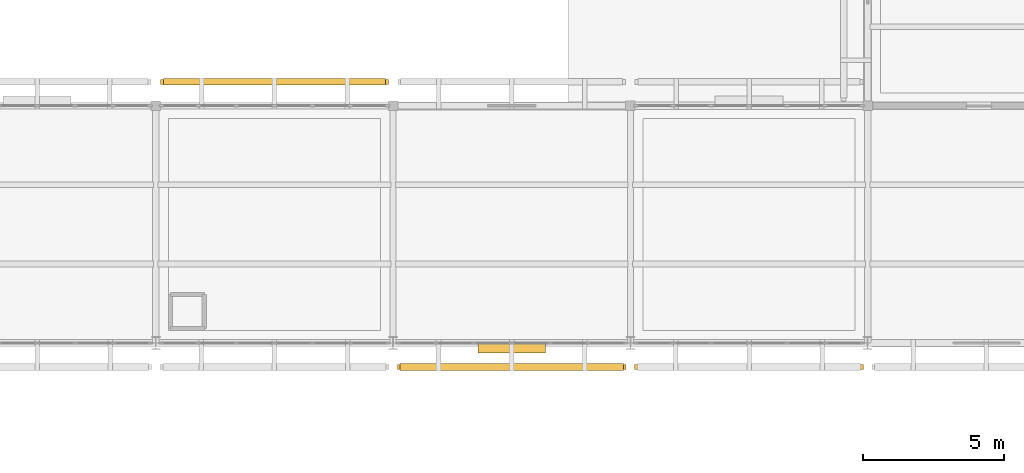
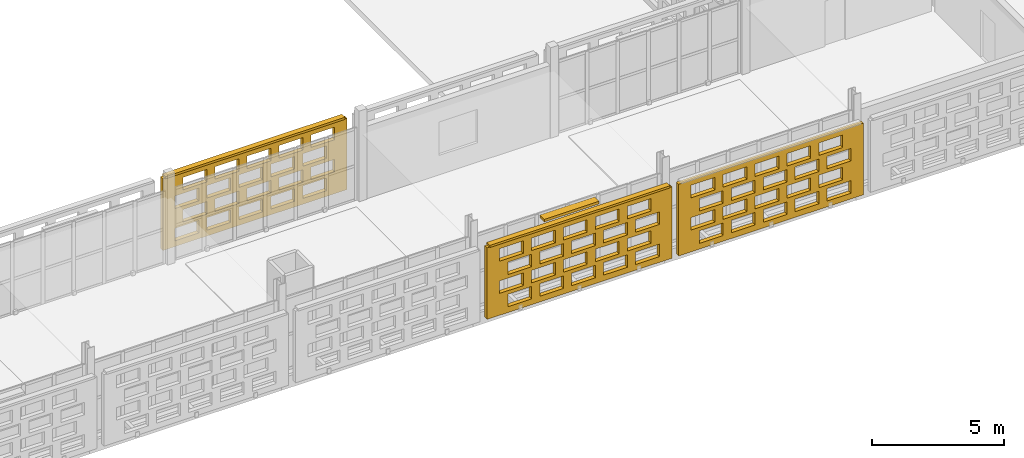
# One storey, part 123 of 140: 3 coverings, 3 shading devices, 60 openings.
"""IFC4 building model written with IfcOpenShell, lengths in metres."""

from ifc_helpers import new_model, si_unit, direction, frame, frame_2d, origin, origin_2d, place, context, subcontext, project, spatial, rectangle, extrude, material, layer, layer_set, type_object, element, save


model = new_model("IFC4")

# Units and contexts
model_context = context("Model", 3, precision=1e-05, world=origin(), true_north=direction((0.0, 1.0)))
body_context = subcontext(model_context, "Body", "Model", "MODEL_VIEW")
ifc_project = project(units=[si_unit("LENGTHUNIT", "METRE"), si_unit("AREAUNIT", "SQUARE_METRE"), si_unit("VOLUMEUNIT", "CUBIC_METRE"), si_unit("PLANEANGLEUNIT", "RADIAN"), si_unit("MASSUNIT", "GRAM", prefix="KILO")], contexts=[model_context])

# Site, building, storey
site_placement = place(None, origin())
site = spatial("IfcSite", under=ifc_project, at=site_placement, CompositionType="ELEMENT")
building_placement = place(site_placement, origin())
building = spatial("IfcBuilding", under=site, at=building_placement, Name="Varnapada Polytechnic", CompositionType="ELEMENT")
storey_placement = place(building_placement, frame((0.0, 0.0, 13.800048828125)))
storey = spatial("IfcBuildingStorey", under=building, at=storey_placement, Name="L03", CompositionType="ELEMENT", Elevation=13.800048828125)

# Shading device
ifc_material_1 = material(Name="Anodised aluminium", Category="aluminium")
ifc_layer_1 = layer(ifc_material_1, 0.35009765625)
ifc_layer_set_1 = layer_set([ifc_layer_1], Name="Anodised aluminium")
shading_device_type_1 = type_object("IfcShadingDeviceType", Name="Solar Louvre LVR-01", PredefinedType="JALOUSIE", material=ifc_layer_set_1)
shading_device_1_placement = place(storey_placement, frame((113.39990234375, 83.820068359375, 3.159912109375), z_axis=(0.0, 0.0, 1.0), x_axis=(-1.0, 0.0, 0.0)))
element("IfcShadingDevice", 1, at=shading_device_1_placement, inside=storey, type_object=shading_device_type_1, Name="L03 aluminium sun louvre 64", PredefinedType="JALOUSIE", context=body_context, shape_type="SweptSolid", body=[
    extrude(rectangle(XDim=2.39990234375, YDim=0.340087890625, at=origin_2d()), origin(), (0.0, 0.0, 1.0), 0.1201171875),
])

# Covering, openings
ifc_material_2 = material(Name="Earth-toned architectural terracotta screen block", Category="masonry")
ifc_layer_2 = layer(ifc_material_2, 0.1201171875)
ifc_layer_set_2 = layer_set([ifc_layer_2], Name="Earth-toned architectural terracotta screen block")
covering_type = type_object("IfcCoveringType", Name="Terracotta Screen Cladding CLD-01", PredefinedType="CLADDING", material=ifc_layer_set_2)
covering_1_placement = place(storey_placement, frame((100.969970703125, 93.25, 0.0), z_axis=(0.0, 0.0, 1.0), x_axis=(1.0, 0.0, 0.0)))
covering_1 = element("IfcCovering", 2, at=covering_1_placement, inside=storey, type_object=covering_type, Name="L03 perforated terracotta block screen (63)", PredefinedType="CLADDING", context=body_context, shape_type="SweptSolid", body=[
    extrude(rectangle(XDim=8.06005859375, YDim=0.179931640625, at=frame_2d((4.030029296875, 0.0))), origin(), (0.0, 0.0, 1.0), 3.320068359375),
])
opening_1_placement = place(covering_1_placement, frame((0.530029296875, 0.0, 0.265625)))
element("IfcOpeningElement", 3, at=opening_1_placement, cuts=covering_1, Name="Screen perforation TBS-L03-062.1", PredefinedType="OPENING", context=body_context, shape_type="SweptSolid", body=[
    extrude(rectangle(XDim=1.0400390625, YDim=0.5810546875, at=frame_2d((0.52001953125, 0.29052734375))), frame((0.0, 0.099853515625, 0.0), z_axis=(0.0, -1.0, 0.0), x_axis=(1.0, 0.0, 0.0)), (0.0, 0.0, 1.0), 0.199951171875),
])
opening_2_placement = place(covering_1_placement, frame((1.929931640625, 0.0, 0.265625)))
element("IfcOpeningElement", 4, at=opening_2_placement, cuts=covering_1, Name="Screen perforation TBS-L03-062.2", PredefinedType="OPENING", context=body_context, shape_type="SweptSolid", body=[
    extrude(rectangle(XDim=1.0400390625, YDim=0.5810546875, at=frame_2d((0.52001953125, 0.29052734375))), frame((0.0, 0.099853515625, 0.0), z_axis=(0.0, -1.0, 0.0), x_axis=(1.0, 0.0, 0.0)), (0.0, 0.0, 1.0), 0.199951171875),
])
opening_3_placement = place(covering_1_placement, frame((3.330078125, 0.0, 0.265625)))
element("IfcOpeningElement", 5, at=opening_3_placement, cuts=covering_1, Name="Screen perforation TBS-L03-062.3", PredefinedType="OPENING", context=body_context, shape_type="SweptSolid", body=[
    extrude(rectangle(XDim=1.0400390625, YDim=0.5810546875, at=frame_2d((0.52001953125, 0.29052734375))), frame((0.0, 0.099853515625, 0.0), z_axis=(0.0, -1.0, 0.0), x_axis=(1.0, 0.0, 0.0)), (0.0, 0.0, 1.0), 0.199951171875),
])
opening_4_placement = place(covering_1_placement, frame((4.72998046875, 0.0, 0.265625)))
element("IfcOpeningElement", 6, at=opening_4_placement, cuts=covering_1, Name="Screen perforation TBS-L03-062.4", PredefinedType="OPENING", context=body_context, shape_type="SweptSolid", body=[
    extrude(rectangle(XDim=1.0400390625, YDim=0.5810546875, at=frame_2d((0.52001953125, 0.29052734375))), frame((0.0, 0.099853515625, 0.0), z_axis=(0.0, -1.0, 0.0), x_axis=(1.0, 0.0, 0.0)), (0.0, 0.0, 1.0), 0.199951171875),
])
opening_5_placement = place(covering_1_placement, frame((6.1298828125, 0.0, 0.265625)))
element("IfcOpeningElement", 7, at=opening_5_placement, cuts=covering_1, Name="Screen perforation TBS-L03-062.5", PredefinedType="OPENING", context=body_context, shape_type="SweptSolid", body=[
    extrude(rectangle(XDim=1.0400390625, YDim=0.5810546875, at=frame_2d((0.52001953125, 0.29052734375))), frame((0.0, 0.099853515625, 0.0), z_axis=(0.0, -1.0, 0.0), x_axis=(1.0, 0.0, 0.0)), (0.0, 0.0, 1.0), 0.199951171875),
])
opening_6_placement = place(covering_1_placement, frame((0.889892578125, 0.0, 1.0126953125)))
element("IfcOpeningElement", 8, at=opening_6_placement, cuts=covering_1, Name="Screen perforation TBS-L03-062.6", PredefinedType="OPENING", context=body_context, shape_type="SweptSolid", body=[
    extrude(rectangle(XDim=1.0400390625, YDim=0.5810546875, at=frame_2d((0.52001953125, 0.29052734375))), frame((0.0, 0.099853515625, 0.0), z_axis=(0.0, -1.0, 0.0), x_axis=(1.0, 0.0, 0.0)), (0.0, 0.0, 1.0), 0.199951171875),
])
opening_7_placement = place(covering_1_placement, frame((2.2900390625, 0.0, 1.0126953125)))
element("IfcOpeningElement", 9, at=opening_7_placement, cuts=covering_1, Name="Screen perforation TBS-L03-062.7", PredefinedType="OPENING", context=body_context, shape_type="SweptSolid", body=[
    extrude(rectangle(XDim=1.0400390625, YDim=0.5810546875, at=frame_2d((0.52001953125, 0.29052734375))), frame((0.0, 0.099853515625, 0.0), z_axis=(0.0, -1.0, 0.0), x_axis=(1.0, 0.0, 0.0)), (0.0, 0.0, 1.0), 0.199951171875),
])
opening_8_placement = place(covering_1_placement, frame((3.68994140625, 0.0, 1.0126953125)))
element("IfcOpeningElement", 10, at=opening_8_placement, cuts=covering_1, Name="Screen perforation TBS-L03-062.8", PredefinedType="OPENING", context=body_context, shape_type="SweptSolid", body=[
    extrude(rectangle(XDim=1.0400390625, YDim=0.5810546875, at=frame_2d((0.52001953125, 0.29052734375))), frame((0.0, 0.099853515625, 0.0), z_axis=(0.0, -1.0, 0.0), x_axis=(1.0, 0.0, 0.0)), (0.0, 0.0, 1.0), 0.199951171875),
])
opening_9_placement = place(covering_1_placement, frame((5.090087890625, 0.0, 1.0126953125)))
element("IfcOpeningElement", 11, at=opening_9_placement, cuts=covering_1, Name="Screen perforation TBS-L03-062.9", PredefinedType="OPENING", context=body_context, shape_type="SweptSolid", body=[
    extrude(rectangle(XDim=1.0400390625, YDim=0.5810546875, at=frame_2d((0.52001953125, 0.29052734375))), frame((0.0, 0.099853515625, 0.0), z_axis=(0.0, -1.0, 0.0), x_axis=(1.0, 0.0, 0.0)), (0.0, 0.0, 1.0), 0.199951171875),
])
opening_10_placement = place(covering_1_placement, frame((6.489990234375, 0.0, 1.0126953125)))
element("IfcOpeningElement", 12, at=opening_10_placement, cuts=covering_1, Name="Screen perforation TBS-L03-062.10", PredefinedType="OPENING", context=body_context, shape_type="SweptSolid", body=[
    extrude(rectangle(XDim=1.0400390625, YDim=0.5810546875, at=frame_2d((0.52001953125, 0.29052734375))), frame((0.0, 0.099853515625, 0.0), z_axis=(0.0, -1.0, 0.0), x_axis=(1.0, 0.0, 0.0)), (0.0, 0.0, 1.0), 0.199951171875),
])
opening_11_placement = place(covering_1_placement, frame((0.530029296875, 0.0, 1.759521484375)))
element("IfcOpeningElement", 13, at=opening_11_placement, cuts=covering_1, Name="Screen perforation TBS-L03-062.11", PredefinedType="OPENING", context=body_context, shape_type="SweptSolid", body=[
    extrude(rectangle(XDim=1.0400390625, YDim=0.5810546875, at=frame_2d((0.52001953125, 0.29052734375))), frame((0.0, 0.099853515625, 0.0), z_axis=(0.0, -1.0, 0.0), x_axis=(1.0, 0.0, 0.0)), (0.0, 0.0, 1.0), 0.199951171875),
])
opening_12_placement = place(covering_1_placement, frame((1.929931640625, 0.0, 1.759521484375)))
element("IfcOpeningElement", 14, at=opening_12_placement, cuts=covering_1, Name="Screen perforation TBS-L03-062.12", PredefinedType="OPENING", context=body_context, shape_type="SweptSolid", body=[
    extrude(rectangle(XDim=1.0400390625, YDim=0.5810546875, at=frame_2d((0.52001953125, 0.29052734375))), frame((0.0, 0.099853515625, 0.0), z_axis=(0.0, -1.0, 0.0), x_axis=(1.0, 0.0, 0.0)), (0.0, 0.0, 1.0), 0.199951171875),
])
opening_13_placement = place(covering_1_placement, frame((3.330078125, 0.0, 1.759521484375)))
element("IfcOpeningElement", 15, at=opening_13_placement, cuts=covering_1, Name="Screen perforation TBS-L03-062.13", PredefinedType="OPENING", context=body_context, shape_type="SweptSolid", body=[
    extrude(rectangle(XDim=1.0400390625, YDim=0.5810546875, at=frame_2d((0.52001953125, 0.29052734375))), frame((0.0, 0.099853515625, 0.0), z_axis=(0.0, -1.0, 0.0), x_axis=(1.0, 0.0, 0.0)), (0.0, 0.0, 1.0), 0.199951171875),
])
opening_14_placement = place(covering_1_placement, frame((4.72998046875, 0.0, 1.759521484375)))
element("IfcOpeningElement", 16, at=opening_14_placement, cuts=covering_1, Name="Screen perforation TBS-L03-062.14", PredefinedType="OPENING", context=body_context, shape_type="SweptSolid", body=[
    extrude(rectangle(XDim=1.0400390625, YDim=0.5810546875, at=frame_2d((0.52001953125, 0.29052734375))), frame((0.0, 0.099853515625, 0.0), z_axis=(0.0, -1.0, 0.0), x_axis=(1.0, 0.0, 0.0)), (0.0, 0.0, 1.0), 0.199951171875),
])
opening_15_placement = place(covering_1_placement, frame((6.1298828125, 0.0, 1.759521484375)))
element("IfcOpeningElement", 17, at=opening_15_placement, cuts=covering_1, Name="Screen perforation TBS-L03-062.15", PredefinedType="OPENING", context=body_context, shape_type="SweptSolid", body=[
    extrude(rectangle(XDim=1.0400390625, YDim=0.5810546875, at=frame_2d((0.52001953125, 0.29052734375))), frame((0.0, 0.099853515625, 0.0), z_axis=(0.0, -1.0, 0.0), x_axis=(1.0, 0.0, 0.0)), (0.0, 0.0, 1.0), 0.199951171875),
])
opening_16_placement = place(covering_1_placement, frame((0.889892578125, 0.0, 2.506591796875)))
element("IfcOpeningElement", 18, at=opening_16_placement, cuts=covering_1, Name="Screen perforation TBS-L03-062.16", PredefinedType="OPENING", context=body_context, shape_type="SweptSolid", body=[
    extrude(rectangle(XDim=1.0400390625, YDim=0.5810546875, at=frame_2d((0.52001953125, 0.29052734375))), frame((0.0, 0.099853515625, 0.0), z_axis=(0.0, -1.0, 0.0), x_axis=(1.0, 0.0, 0.0)), (0.0, 0.0, 1.0), 0.199951171875),
])
opening_17_placement = place(covering_1_placement, frame((2.2900390625, 0.0, 2.506591796875)))
element("IfcOpeningElement", 19, at=opening_17_placement, cuts=covering_1, Name="Screen perforation TBS-L03-062.17", PredefinedType="OPENING", context=body_context, shape_type="SweptSolid", body=[
    extrude(rectangle(XDim=1.0400390625, YDim=0.5810546875, at=frame_2d((0.52001953125, 0.29052734375))), frame((0.0, 0.099853515625, 0.0), z_axis=(0.0, -1.0, 0.0), x_axis=(1.0, 0.0, 0.0)), (0.0, 0.0, 1.0), 0.199951171875),
])
opening_18_placement = place(covering_1_placement, frame((3.68994140625, 0.0, 2.506591796875)))
element("IfcOpeningElement", 20, at=opening_18_placement, cuts=covering_1, Name="Screen perforation TBS-L03-062.18", PredefinedType="OPENING", context=body_context, shape_type="SweptSolid", body=[
    extrude(rectangle(XDim=1.0400390625, YDim=0.5810546875, at=frame_2d((0.52001953125, 0.29052734375))), frame((0.0, 0.099853515625, 0.0), z_axis=(0.0, -1.0, 0.0), x_axis=(1.0, 0.0, 0.0)), (0.0, 0.0, 1.0), 0.199951171875),
])
opening_19_placement = place(covering_1_placement, frame((5.090087890625, 0.0, 2.506591796875)))
element("IfcOpeningElement", 21, at=opening_19_placement, cuts=covering_1, Name="Screen perforation TBS-L03-062.19", PredefinedType="OPENING", context=body_context, shape_type="SweptSolid", body=[
    extrude(rectangle(XDim=1.0400390625, YDim=0.5810546875, at=frame_2d((0.52001953125, 0.29052734375))), frame((0.0, 0.099853515625, 0.0), z_axis=(0.0, -1.0, 0.0), x_axis=(1.0, 0.0, 0.0)), (0.0, 0.0, 1.0), 0.199951171875),
])
opening_20_placement = place(covering_1_placement, frame((6.489990234375, 0.0, 2.506591796875)))
element("IfcOpeningElement", 22, at=opening_20_placement, cuts=covering_1, Name="Screen perforation TBS-L03-062.20", PredefinedType="OPENING", context=body_context, shape_type="SweptSolid", body=[
    extrude(rectangle(XDim=1.0400390625, YDim=0.5810546875, at=frame_2d((0.52001953125, 0.29052734375))), frame((0.0, 0.099853515625, 0.0), z_axis=(0.0, -1.0, 0.0), x_axis=(1.0, 0.0, 0.0)), (0.0, 0.0, 1.0), 0.199951171875),
])

covering_2_placement = place(storey_placement, frame((117.449951171875, 83.14990234375, 0.0), z_axis=(0.0, 0.0, 1.0), x_axis=(-1.0, 0.0, 0.0)))
covering_2 = element("IfcCovering", 23, at=covering_2_placement, inside=storey, type_object=covering_type, Name="L03 perforated terracotta block screen (64)", PredefinedType="CLADDING", context=body_context, shape_type="SweptSolid", body=[
    extrude(rectangle(XDim=8.099853515625, YDim=0.179931640625, at=frame_2d((4.0498046875, 0.0))), origin(), (0.0, 0.0, 1.0), 3.320068359375),
])
opening_21_placement = place(covering_2_placement, frame((0.550048828125, 0.0, 0.265625)))
element("IfcOpeningElement", 24, at=opening_21_placement, cuts=covering_2, Name="Screen perforation TBS-L03-063.1", PredefinedType="OPENING", context=body_context, shape_type="SweptSolid", body=[
    extrude(rectangle(XDim=1.0400390625, YDim=0.5810546875, at=frame_2d((0.52001953125, 0.29052734375))), frame((0.0, 0.099853515625, 0.0), z_axis=(0.0, -1.0, 0.0), x_axis=(1.0, 0.0, 0.0)), (0.0, 0.0, 1.0), 0.199951171875),
])
opening_22_placement = place(covering_2_placement, frame((1.949951171875, 0.0, 0.265625)))
element("IfcOpeningElement", 25, at=opening_22_placement, cuts=covering_2, Name="Screen perforation TBS-L03-063.2", PredefinedType="OPENING", context=body_context, shape_type="SweptSolid", body=[
    extrude(rectangle(XDim=1.0400390625, YDim=0.5810546875, at=frame_2d((0.52001953125, 0.29052734375))), frame((0.0, 0.099853515625, 0.0), z_axis=(0.0, -1.0, 0.0), x_axis=(1.0, 0.0, 0.0)), (0.0, 0.0, 1.0), 0.199951171875),
])
opening_23_placement = place(covering_2_placement, frame((3.35009765625, 0.0, 0.265625)))
element("IfcOpeningElement", 26, at=opening_23_placement, cuts=covering_2, Name="Screen perforation TBS-L03-063.3", PredefinedType="OPENING", context=body_context, shape_type="SweptSolid", body=[
    extrude(rectangle(XDim=1.0400390625, YDim=0.5810546875, at=frame_2d((0.52001953125, 0.29052734375))), frame((0.0, 0.099853515625, 0.0), z_axis=(0.0, -1.0, 0.0), x_axis=(1.0, 0.0, 0.0)), (0.0, 0.0, 1.0), 0.199951171875),
])
opening_24_placement = place(covering_2_placement, frame((4.75, 0.0, 0.265625)))
element("IfcOpeningElement", 27, at=opening_24_placement, cuts=covering_2, Name="Screen perforation TBS-L03-063.4", PredefinedType="OPENING", context=body_context, shape_type="SweptSolid", body=[
    extrude(rectangle(XDim=1.0400390625, YDim=0.5810546875, at=frame_2d((0.52001953125, 0.29052734375))), frame((0.0, 0.099853515625, 0.0), z_axis=(0.0, -1.0, 0.0), x_axis=(1.0, 0.0, 0.0)), (0.0, 0.0, 1.0), 0.199951171875),
])
opening_25_placement = place(covering_2_placement, frame((6.14990234375, 0.0, 0.265625)))
element("IfcOpeningElement", 28, at=opening_25_placement, cuts=covering_2, Name="Screen perforation TBS-L03-063.5", PredefinedType="OPENING", context=body_context, shape_type="SweptSolid", body=[
    extrude(rectangle(XDim=1.0400390625, YDim=0.5810546875, at=frame_2d((0.52001953125, 0.29052734375))), frame((0.0, 0.099853515625, 0.0), z_axis=(0.0, -1.0, 0.0), x_axis=(1.0, 0.0, 0.0)), (0.0, 0.0, 1.0), 0.199951171875),
])
opening_26_placement = place(covering_2_placement, frame((0.909912109375, 0.0, 1.0126953125)))
element("IfcOpeningElement", 29, at=opening_26_placement, cuts=covering_2, Name="Screen perforation TBS-L03-063.6", PredefinedType="OPENING", context=body_context, shape_type="SweptSolid", body=[
    extrude(rectangle(XDim=1.0400390625, YDim=0.5810546875, at=frame_2d((0.52001953125, 0.29052734375))), frame((0.0, 0.099853515625, 0.0), z_axis=(0.0, -1.0, 0.0), x_axis=(1.0, 0.0, 0.0)), (0.0, 0.0, 1.0), 0.199951171875),
])
opening_27_placement = place(covering_2_placement, frame((2.31005859375, 0.0, 1.0126953125)))
element("IfcOpeningElement", 30, at=opening_27_placement, cuts=covering_2, Name="Screen perforation TBS-L03-063.7", PredefinedType="OPENING", context=body_context, shape_type="SweptSolid", body=[
    extrude(rectangle(XDim=1.0400390625, YDim=0.5810546875, at=frame_2d((0.52001953125, 0.29052734375))), frame((0.0, 0.099853515625, 0.0), z_axis=(0.0, -1.0, 0.0), x_axis=(1.0, 0.0, 0.0)), (0.0, 0.0, 1.0), 0.199951171875),
])
opening_28_placement = place(covering_2_placement, frame((3.7099609375, 0.0, 1.0126953125)))
element("IfcOpeningElement", 31, at=opening_28_placement, cuts=covering_2, Name="Screen perforation TBS-L03-063.8", PredefinedType="OPENING", context=body_context, shape_type="SweptSolid", body=[
    extrude(rectangle(XDim=1.0400390625, YDim=0.5810546875, at=frame_2d((0.52001953125, 0.29052734375))), frame((0.0, 0.099853515625, 0.0), z_axis=(0.0, -1.0, 0.0), x_axis=(1.0, 0.0, 0.0)), (0.0, 0.0, 1.0), 0.199951171875),
])
opening_29_placement = place(covering_2_placement, frame((5.110107421875, 0.0, 1.0126953125)))
element("IfcOpeningElement", 32, at=opening_29_placement, cuts=covering_2, Name="Screen perforation TBS-L03-063.9", PredefinedType="OPENING", context=body_context, shape_type="SweptSolid", body=[
    extrude(rectangle(XDim=1.0400390625, YDim=0.5810546875, at=frame_2d((0.52001953125, 0.29052734375))), frame((0.0, 0.099853515625, 0.0), z_axis=(0.0, -1.0, 0.0), x_axis=(1.0, 0.0, 0.0)), (0.0, 0.0, 1.0), 0.199951171875),
])
opening_30_placement = place(covering_2_placement, frame((6.510009765625, 0.0, 1.0126953125)))
element("IfcOpeningElement", 33, at=opening_30_placement, cuts=covering_2, Name="Screen perforation TBS-L03-063.10", PredefinedType="OPENING", context=body_context, shape_type="SweptSolid", body=[
    extrude(rectangle(XDim=1.0400390625, YDim=0.5810546875, at=frame_2d((0.52001953125, 0.29052734375))), frame((0.0, 0.099853515625, 0.0), z_axis=(0.0, -1.0, 0.0), x_axis=(1.0, 0.0, 0.0)), (0.0, 0.0, 1.0), 0.199951171875),
])
opening_31_placement = place(covering_2_placement, frame((0.550048828125, 0.0, 1.759521484375)))
element("IfcOpeningElement", 34, at=opening_31_placement, cuts=covering_2, Name="Screen perforation TBS-L03-063.11", PredefinedType="OPENING", context=body_context, shape_type="SweptSolid", body=[
    extrude(rectangle(XDim=1.0400390625, YDim=0.5810546875, at=frame_2d((0.52001953125, 0.29052734375))), frame((0.0, 0.099853515625, 0.0), z_axis=(0.0, -1.0, 0.0), x_axis=(1.0, 0.0, 0.0)), (0.0, 0.0, 1.0), 0.199951171875),
])
opening_32_placement = place(covering_2_placement, frame((1.949951171875, 0.0, 1.759521484375)))
element("IfcOpeningElement", 35, at=opening_32_placement, cuts=covering_2, Name="Screen perforation TBS-L03-063.12", PredefinedType="OPENING", context=body_context, shape_type="SweptSolid", body=[
    extrude(rectangle(XDim=1.0400390625, YDim=0.5810546875, at=frame_2d((0.52001953125, 0.29052734375))), frame((0.0, 0.099853515625, 0.0), z_axis=(0.0, -1.0, 0.0), x_axis=(1.0, 0.0, 0.0)), (0.0, 0.0, 1.0), 0.199951171875),
])
opening_33_placement = place(covering_2_placement, frame((3.35009765625, 0.0, 1.759521484375)))
element("IfcOpeningElement", 36, at=opening_33_placement, cuts=covering_2, Name="Screen perforation TBS-L03-063.13", PredefinedType="OPENING", context=body_context, shape_type="SweptSolid", body=[
    extrude(rectangle(XDim=1.0400390625, YDim=0.5810546875, at=frame_2d((0.52001953125, 0.29052734375))), frame((0.0, 0.099853515625, 0.0), z_axis=(0.0, -1.0, 0.0), x_axis=(1.0, 0.0, 0.0)), (0.0, 0.0, 1.0), 0.199951171875),
])
opening_34_placement = place(covering_2_placement, frame((4.75, 0.0, 1.759521484375)))
element("IfcOpeningElement", 37, at=opening_34_placement, cuts=covering_2, Name="Screen perforation TBS-L03-063.14", PredefinedType="OPENING", context=body_context, shape_type="SweptSolid", body=[
    extrude(rectangle(XDim=1.0400390625, YDim=0.5810546875, at=frame_2d((0.52001953125, 0.29052734375))), frame((0.0, 0.099853515625, 0.0), z_axis=(0.0, -1.0, 0.0), x_axis=(1.0, 0.0, 0.0)), (0.0, 0.0, 1.0), 0.199951171875),
])
opening_35_placement = place(covering_2_placement, frame((6.14990234375, 0.0, 1.759521484375)))
element("IfcOpeningElement", 38, at=opening_35_placement, cuts=covering_2, Name="Screen perforation TBS-L03-063.15", PredefinedType="OPENING", context=body_context, shape_type="SweptSolid", body=[
    extrude(rectangle(XDim=1.0400390625, YDim=0.5810546875, at=frame_2d((0.52001953125, 0.29052734375))), frame((0.0, 0.099853515625, 0.0), z_axis=(0.0, -1.0, 0.0), x_axis=(1.0, 0.0, 0.0)), (0.0, 0.0, 1.0), 0.199951171875),
])
opening_36_placement = place(covering_2_placement, frame((0.909912109375, 0.0, 2.506591796875)))
element("IfcOpeningElement", 39, at=opening_36_placement, cuts=covering_2, Name="Screen perforation TBS-L03-063.16", PredefinedType="OPENING", context=body_context, shape_type="SweptSolid", body=[
    extrude(rectangle(XDim=1.0400390625, YDim=0.5810546875, at=frame_2d((0.52001953125, 0.29052734375))), frame((0.0, 0.099853515625, 0.0), z_axis=(0.0, -1.0, 0.0), x_axis=(1.0, 0.0, 0.0)), (0.0, 0.0, 1.0), 0.199951171875),
])
opening_37_placement = place(covering_2_placement, frame((2.31005859375, 0.0, 2.506591796875)))
element("IfcOpeningElement", 40, at=opening_37_placement, cuts=covering_2, Name="Screen perforation TBS-L03-063.17", PredefinedType="OPENING", context=body_context, shape_type="SweptSolid", body=[
    extrude(rectangle(XDim=1.0400390625, YDim=0.5810546875, at=frame_2d((0.52001953125, 0.29052734375))), frame((0.0, 0.099853515625, 0.0), z_axis=(0.0, -1.0, 0.0), x_axis=(1.0, 0.0, 0.0)), (0.0, 0.0, 1.0), 0.199951171875),
])
opening_38_placement = place(covering_2_placement, frame((3.7099609375, 0.0, 2.506591796875)))
element("IfcOpeningElement", 41, at=opening_38_placement, cuts=covering_2, Name="Screen perforation TBS-L03-063.18", PredefinedType="OPENING", context=body_context, shape_type="SweptSolid", body=[
    extrude(rectangle(XDim=1.0400390625, YDim=0.5810546875, at=frame_2d((0.52001953125, 0.29052734375))), frame((0.0, 0.099853515625, 0.0), z_axis=(0.0, -1.0, 0.0), x_axis=(1.0, 0.0, 0.0)), (0.0, 0.0, 1.0), 0.199951171875),
])
opening_39_placement = place(covering_2_placement, frame((5.110107421875, 0.0, 2.506591796875)))
element("IfcOpeningElement", 42, at=opening_39_placement, cuts=covering_2, Name="Screen perforation TBS-L03-063.19", PredefinedType="OPENING", context=body_context, shape_type="SweptSolid", body=[
    extrude(rectangle(XDim=1.0400390625, YDim=0.5810546875, at=frame_2d((0.52001953125, 0.29052734375))), frame((0.0, 0.099853515625, 0.0), z_axis=(0.0, -1.0, 0.0), x_axis=(1.0, 0.0, 0.0)), (0.0, 0.0, 1.0), 0.199951171875),
])
opening_40_placement = place(covering_2_placement, frame((6.510009765625, 0.0, 2.506591796875)))
element("IfcOpeningElement", 43, at=opening_40_placement, cuts=covering_2, Name="Screen perforation TBS-L03-063.20", PredefinedType="OPENING", context=body_context, shape_type="SweptSolid", body=[
    extrude(rectangle(XDim=1.0400390625, YDim=0.5810546875, at=frame_2d((0.52001953125, 0.29052734375))), frame((0.0, 0.099853515625, 0.0), z_axis=(0.0, -1.0, 0.0), x_axis=(1.0, 0.0, 0.0)), (0.0, 0.0, 1.0), 0.199951171875),
])

covering_3_placement = place(storey_placement, frame((125.85009765625, 83.14990234375, 0.0), z_axis=(0.0, 0.0, 1.0), x_axis=(-1.0, 0.0, 0.0)))
covering_3 = element("IfcCovering", 44, at=covering_3_placement, inside=storey, type_object=covering_type, Name="L03 perforated terracotta block screen (66)", PredefinedType="CLADDING", context=body_context, shape_type="SweptSolid", body=[
    extrude(rectangle(XDim=8.10009765625, YDim=0.179931640625, at=frame_2d((4.050048828125, 0.0))), origin(), (0.0, 0.0, 1.0), 3.320068359375),
])
opening_41_placement = place(covering_3_placement, frame((0.550048828125, 0.0, 0.265625)))
element("IfcOpeningElement", 45, at=opening_41_placement, cuts=covering_3, Name="Screen perforation TBS-L03-065.1", PredefinedType="OPENING", context=body_context, shape_type="SweptSolid", body=[
    extrude(rectangle(XDim=1.0400390625, YDim=0.5810546875, at=frame_2d((0.52001953125, 0.29052734375))), frame((0.0, 0.099853515625, 0.0), z_axis=(0.0, -1.0, 0.0), x_axis=(1.0, 0.0, 0.0)), (0.0, 0.0, 1.0), 0.199951171875),
])
opening_42_placement = place(covering_3_placement, frame((1.949951171875, 0.0, 0.265625)))
element("IfcOpeningElement", 46, at=opening_42_placement, cuts=covering_3, Name="Screen perforation TBS-L03-065.2", PredefinedType="OPENING", context=body_context, shape_type="SweptSolid", body=[
    extrude(rectangle(XDim=1.0400390625, YDim=0.5810546875, at=frame_2d((0.52001953125, 0.29052734375))), frame((0.0, 0.099853515625, 0.0), z_axis=(0.0, -1.0, 0.0), x_axis=(1.0, 0.0, 0.0)), (0.0, 0.0, 1.0), 0.199951171875),
])
opening_43_placement = place(covering_3_placement, frame((3.35009765625, 0.0, 0.265625)))
element("IfcOpeningElement", 47, at=opening_43_placement, cuts=covering_3, Name="Screen perforation TBS-L03-065.3", PredefinedType="OPENING", context=body_context, shape_type="SweptSolid", body=[
    extrude(rectangle(XDim=1.0400390625, YDim=0.5810546875, at=frame_2d((0.52001953125, 0.29052734375))), frame((0.0, 0.099853515625, 0.0), z_axis=(0.0, -1.0, 0.0), x_axis=(1.0, 0.0, 0.0)), (0.0, 0.0, 1.0), 0.199951171875),
])
opening_44_placement = place(covering_3_placement, frame((4.75, 0.0, 0.265625)))
element("IfcOpeningElement", 48, at=opening_44_placement, cuts=covering_3, Name="Screen perforation TBS-L03-065.4", PredefinedType="OPENING", context=body_context, shape_type="SweptSolid", body=[
    extrude(rectangle(XDim=1.0400390625, YDim=0.5810546875, at=frame_2d((0.52001953125, 0.29052734375))), frame((0.0, 0.099853515625, 0.0), z_axis=(0.0, -1.0, 0.0), x_axis=(1.0, 0.0, 0.0)), (0.0, 0.0, 1.0), 0.199951171875),
])
opening_45_placement = place(covering_3_placement, frame((6.14990234375, 0.0, 0.265625)))
element("IfcOpeningElement", 49, at=opening_45_placement, cuts=covering_3, Name="Screen perforation TBS-L03-065.5", PredefinedType="OPENING", context=body_context, shape_type="SweptSolid", body=[
    extrude(rectangle(XDim=1.0400390625, YDim=0.5810546875, at=frame_2d((0.52001953125, 0.29052734375))), frame((0.0, 0.099853515625, 0.0), z_axis=(0.0, -1.0, 0.0), x_axis=(1.0, 0.0, 0.0)), (0.0, 0.0, 1.0), 0.199951171875),
])
opening_46_placement = place(covering_3_placement, frame((0.909912109375, 0.0, 1.0126953125)))
element("IfcOpeningElement", 50, at=opening_46_placement, cuts=covering_3, Name="Screen perforation TBS-L03-065.6", PredefinedType="OPENING", context=body_context, shape_type="SweptSolid", body=[
    extrude(rectangle(XDim=1.0400390625, YDim=0.5810546875, at=frame_2d((0.52001953125, 0.29052734375))), frame((0.0, 0.099853515625, 0.0), z_axis=(0.0, -1.0, 0.0), x_axis=(1.0, 0.0, 0.0)), (0.0, 0.0, 1.0), 0.199951171875),
])
opening_47_placement = place(covering_3_placement, frame((2.31005859375, 0.0, 1.0126953125)))
element("IfcOpeningElement", 51, at=opening_47_placement, cuts=covering_3, Name="Screen perforation TBS-L03-065.7", PredefinedType="OPENING", context=body_context, shape_type="SweptSolid", body=[
    extrude(rectangle(XDim=1.0400390625, YDim=0.5810546875, at=frame_2d((0.52001953125, 0.29052734375))), frame((0.0, 0.099853515625, 0.0), z_axis=(0.0, -1.0, 0.0), x_axis=(1.0, 0.0, 0.0)), (0.0, 0.0, 1.0), 0.199951171875),
])
opening_48_placement = place(covering_3_placement, frame((3.7099609375, 0.0, 1.0126953125)))
element("IfcOpeningElement", 52, at=opening_48_placement, cuts=covering_3, Name="Screen perforation TBS-L03-065.8", PredefinedType="OPENING", context=body_context, shape_type="SweptSolid", body=[
    extrude(rectangle(XDim=1.0400390625, YDim=0.5810546875, at=frame_2d((0.52001953125, 0.29052734375))), frame((0.0, 0.099853515625, 0.0), z_axis=(0.0, -1.0, 0.0), x_axis=(1.0, 0.0, 0.0)), (0.0, 0.0, 1.0), 0.199951171875),
])
opening_49_placement = place(covering_3_placement, frame((5.110107421875, 0.0, 1.0126953125)))
element("IfcOpeningElement", 53, at=opening_49_placement, cuts=covering_3, Name="Screen perforation TBS-L03-065.9", PredefinedType="OPENING", context=body_context, shape_type="SweptSolid", body=[
    extrude(rectangle(XDim=1.0400390625, YDim=0.5810546875, at=frame_2d((0.52001953125, 0.29052734375))), frame((0.0, 0.099853515625, 0.0), z_axis=(0.0, -1.0, 0.0), x_axis=(1.0, 0.0, 0.0)), (0.0, 0.0, 1.0), 0.199951171875),
])
opening_50_placement = place(covering_3_placement, frame((6.510009765625, 0.0, 1.0126953125)))
element("IfcOpeningElement", 54, at=opening_50_placement, cuts=covering_3, Name="Screen perforation TBS-L03-065.10", PredefinedType="OPENING", context=body_context, shape_type="SweptSolid", body=[
    extrude(rectangle(XDim=1.0400390625, YDim=0.5810546875, at=frame_2d((0.52001953125, 0.29052734375))), frame((0.0, 0.099853515625, 0.0), z_axis=(0.0, -1.0, 0.0), x_axis=(1.0, 0.0, 0.0)), (0.0, 0.0, 1.0), 0.199951171875),
])
opening_51_placement = place(covering_3_placement, frame((0.550048828125, 0.0, 1.759521484375)))
element("IfcOpeningElement", 55, at=opening_51_placement, cuts=covering_3, Name="Screen perforation TBS-L03-065.11", PredefinedType="OPENING", context=body_context, shape_type="SweptSolid", body=[
    extrude(rectangle(XDim=1.0400390625, YDim=0.5810546875, at=frame_2d((0.52001953125, 0.29052734375))), frame((0.0, 0.099853515625, 0.0), z_axis=(0.0, -1.0, 0.0), x_axis=(1.0, 0.0, 0.0)), (0.0, 0.0, 1.0), 0.199951171875),
])
opening_52_placement = place(covering_3_placement, frame((1.949951171875, 0.0, 1.759521484375)))
element("IfcOpeningElement", 56, at=opening_52_placement, cuts=covering_3, Name="Screen perforation TBS-L03-065.12", PredefinedType="OPENING", context=body_context, shape_type="SweptSolid", body=[
    extrude(rectangle(XDim=1.0400390625, YDim=0.5810546875, at=frame_2d((0.52001953125, 0.29052734375))), frame((0.0, 0.099853515625, 0.0), z_axis=(0.0, -1.0, 0.0), x_axis=(1.0, 0.0, 0.0)), (0.0, 0.0, 1.0), 0.199951171875),
])
opening_53_placement = place(covering_3_placement, frame((3.35009765625, 0.0, 1.759521484375)))
element("IfcOpeningElement", 57, at=opening_53_placement, cuts=covering_3, Name="Screen perforation TBS-L03-065.13", PredefinedType="OPENING", context=body_context, shape_type="SweptSolid", body=[
    extrude(rectangle(XDim=1.0400390625, YDim=0.5810546875, at=frame_2d((0.52001953125, 0.29052734375))), frame((0.0, 0.099853515625, 0.0), z_axis=(0.0, -1.0, 0.0), x_axis=(1.0, 0.0, 0.0)), (0.0, 0.0, 1.0), 0.199951171875),
])
opening_54_placement = place(covering_3_placement, frame((4.75, 0.0, 1.759521484375)))
element("IfcOpeningElement", 58, at=opening_54_placement, cuts=covering_3, Name="Screen perforation TBS-L03-065.14", PredefinedType="OPENING", context=body_context, shape_type="SweptSolid", body=[
    extrude(rectangle(XDim=1.0400390625, YDim=0.5810546875, at=frame_2d((0.52001953125, 0.29052734375))), frame((0.0, 0.099853515625, 0.0), z_axis=(0.0, -1.0, 0.0), x_axis=(1.0, 0.0, 0.0)), (0.0, 0.0, 1.0), 0.199951171875),
])
opening_55_placement = place(covering_3_placement, frame((6.14990234375, 0.0, 1.759521484375)))
element("IfcOpeningElement", 59, at=opening_55_placement, cuts=covering_3, Name="Screen perforation TBS-L03-065.15", PredefinedType="OPENING", context=body_context, shape_type="SweptSolid", body=[
    extrude(rectangle(XDim=1.0400390625, YDim=0.5810546875, at=frame_2d((0.52001953125, 0.29052734375))), frame((0.0, 0.099853515625, 0.0), z_axis=(0.0, -1.0, 0.0), x_axis=(1.0, 0.0, 0.0)), (0.0, 0.0, 1.0), 0.199951171875),
])
opening_56_placement = place(covering_3_placement, frame((0.909912109375, 0.0, 2.506591796875)))
element("IfcOpeningElement", 60, at=opening_56_placement, cuts=covering_3, Name="Screen perforation TBS-L03-065.16", PredefinedType="OPENING", context=body_context, shape_type="SweptSolid", body=[
    extrude(rectangle(XDim=1.0400390625, YDim=0.5810546875, at=frame_2d((0.52001953125, 0.29052734375))), frame((0.0, 0.099853515625, 0.0), z_axis=(0.0, -1.0, 0.0), x_axis=(1.0, 0.0, 0.0)), (0.0, 0.0, 1.0), 0.199951171875),
])
opening_57_placement = place(covering_3_placement, frame((2.31005859375, 0.0, 2.506591796875)))
element("IfcOpeningElement", 61, at=opening_57_placement, cuts=covering_3, Name="Screen perforation TBS-L03-065.17", PredefinedType="OPENING", context=body_context, shape_type="SweptSolid", body=[
    extrude(rectangle(XDim=1.0400390625, YDim=0.5810546875, at=frame_2d((0.52001953125, 0.29052734375))), frame((0.0, 0.099853515625, 0.0), z_axis=(0.0, -1.0, 0.0), x_axis=(1.0, 0.0, 0.0)), (0.0, 0.0, 1.0), 0.199951171875),
])
opening_58_placement = place(covering_3_placement, frame((3.7099609375, 0.0, 2.506591796875)))
element("IfcOpeningElement", 62, at=opening_58_placement, cuts=covering_3, Name="Screen perforation TBS-L03-065.18", PredefinedType="OPENING", context=body_context, shape_type="SweptSolid", body=[
    extrude(rectangle(XDim=1.0400390625, YDim=0.5810546875, at=frame_2d((0.52001953125, 0.29052734375))), frame((0.0, 0.099853515625, 0.0), z_axis=(0.0, -1.0, 0.0), x_axis=(1.0, 0.0, 0.0)), (0.0, 0.0, 1.0), 0.199951171875),
])
opening_59_placement = place(covering_3_placement, frame((5.110107421875, 0.0, 2.506591796875)))
element("IfcOpeningElement", 63, at=opening_59_placement, cuts=covering_3, Name="Screen perforation TBS-L03-065.19", PredefinedType="OPENING", context=body_context, shape_type="SweptSolid", body=[
    extrude(rectangle(XDim=1.0400390625, YDim=0.5810546875, at=frame_2d((0.52001953125, 0.29052734375))), frame((0.0, 0.099853515625, 0.0), z_axis=(0.0, -1.0, 0.0), x_axis=(1.0, 0.0, 0.0)), (0.0, 0.0, 1.0), 0.199951171875),
])
opening_60_placement = place(covering_3_placement, frame((6.510009765625, 0.0, 2.506591796875)))
element("IfcOpeningElement", 64, at=opening_60_placement, cuts=covering_3, Name="Screen perforation TBS-L03-065.20", PredefinedType="OPENING", context=body_context, shape_type="SweptSolid", body=[
    extrude(rectangle(XDim=1.0400390625, YDim=0.5810546875, at=frame_2d((0.52001953125, 0.29052734375))), frame((0.0, 0.099853515625, 0.0), z_axis=(0.0, -1.0, 0.0), x_axis=(1.0, 0.0, 0.0)), (0.0, 0.0, 1.0), 0.199951171875),
])

# Shading devices
ifc_layer_3 = layer(ifc_material_2, 0.179931640625)
ifc_layer_set_3 = layer_set([ifc_layer_3], Name="Earth-toned architectural terracotta screen block")
shading_device_type_2 = type_object("IfcShadingDeviceType", Name="Terracotta Screen SCR-01", PredefinedType="USERDEFINED", material=ifc_layer_set_3)
shading_device_2_placement = place(storey_placement, frame((105.0, 93.25, 3.309814453125), z_axis=(0.0, 0.0, 1.0), x_axis=(1.0, 0.0, 0.0)))
element("IfcShadingDevice", 65, at=shading_device_2_placement, inside=storey, type_object=shading_device_type_2, Name="L03 perforated terracotta screen hood 393", ObjectType="SCREEN", PredefinedType="USERDEFINED", context=body_context, shape_type="SweptSolid", body=[
    extrude(rectangle(XDim=7.860107421875, YDim=0.239990234375, at=origin_2d()), origin(), (0.0, 0.0, 1.0), 0.10009765625),
])
shading_device_3_placement = place(storey_placement, frame((113.39990234375, 83.14990234375, 3.309814453125), z_axis=(0.0, 0.0, 1.0), x_axis=(-1.0, 0.0, 0.0)))
element("IfcShadingDevice", 66, at=shading_device_3_placement, inside=storey, type_object=shading_device_type_2, Name="L03 perforated terracotta screen hood 394", ObjectType="SCREEN", PredefinedType="USERDEFINED", context=body_context, shape_type="SweptSolid", body=[
    extrude(rectangle(XDim=7.89990234375, YDim=0.239990234375, at=origin_2d()), origin(), (0.0, 0.0, 1.0), 0.10009765625),
])

save(model, "model.ifc")
